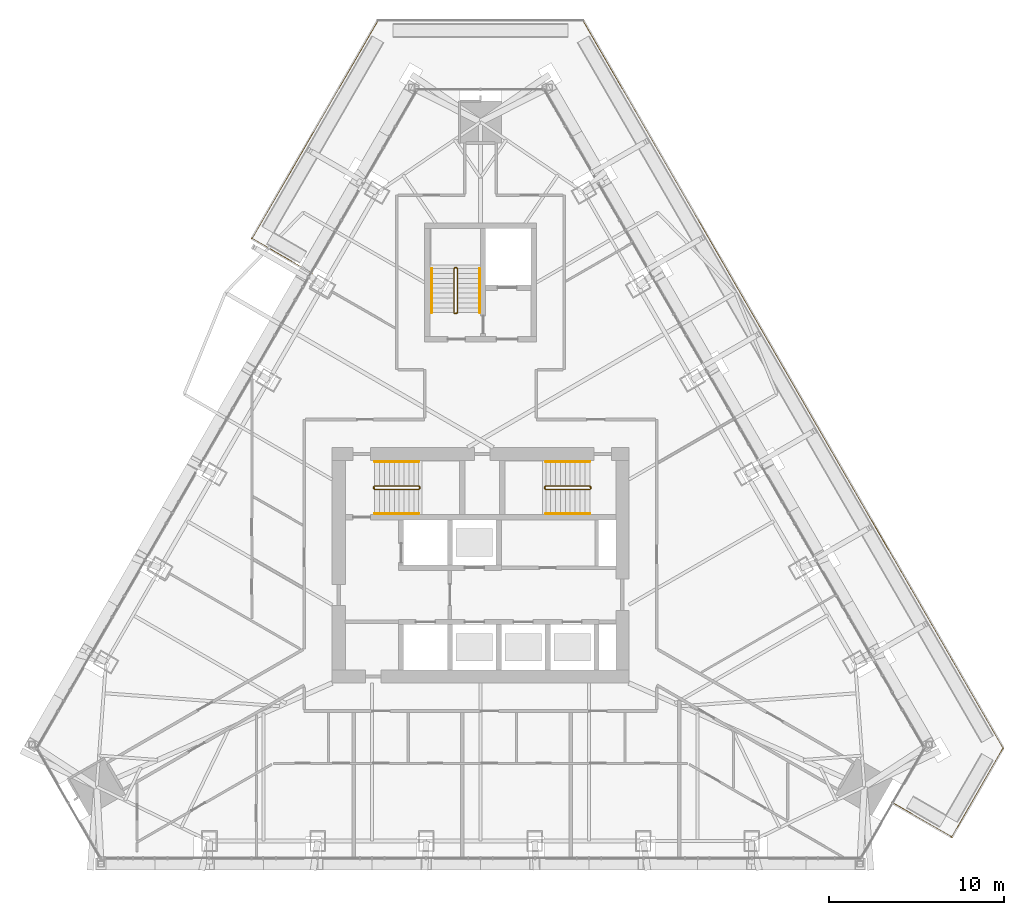
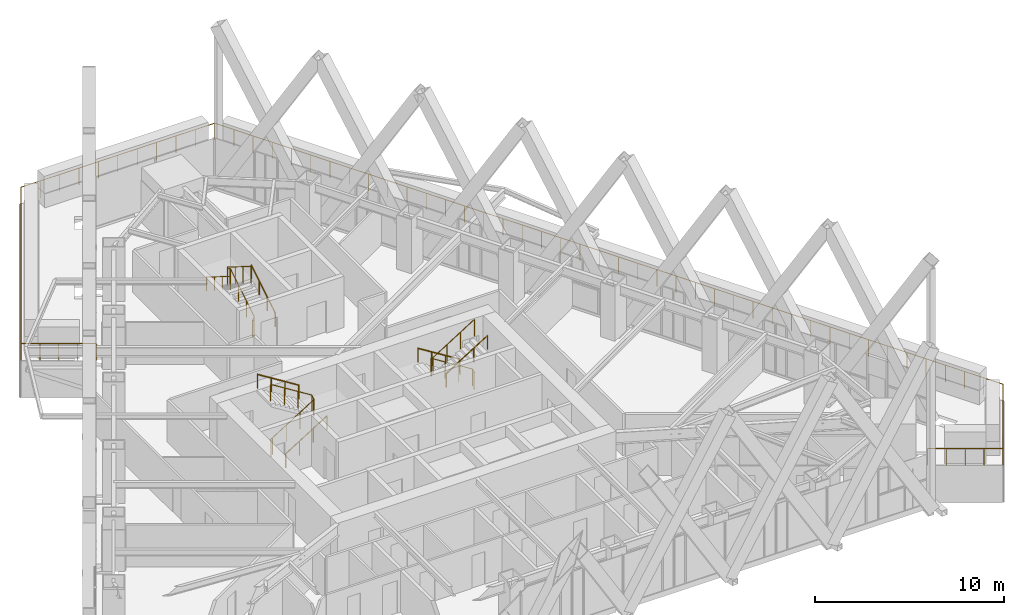
# One storey, part 21 of 23: 10 railings.
"""IFC4 building model written with IfcOpenShell, lengths in metres."""

from ifc_helpers import new_model, si_unit, direction, frame, origin, origin_2d, place, context, subcontext, project, spatial, circle, extrude, material, type_object, element, save


model = new_model("IFC4")

# Units and contexts
model_context = context("Model", 3, precision=1e-05, world=origin(), true_north=direction((0.0, 1.0)))
body_context = subcontext(model_context, "Body", "Model", "MODEL_VIEW")
ifc_project = project(units=[si_unit("LENGTHUNIT", "METRE"), si_unit("AREAUNIT", "SQUARE_METRE"), si_unit("VOLUMEUNIT", "CUBIC_METRE"), si_unit("PLANEANGLEUNIT", "RADIAN"), si_unit("MASSUNIT", "GRAM", prefix="KILO")], contexts=[model_context])

# Site, building, storey
site_placement = place(None, origin())
site = spatial("IfcSite", under=ifc_project, at=site_placement, CompositionType="ELEMENT")
building_placement = place(site_placement, origin())
building = spatial("IfcBuilding", under=site, at=building_placement, Name="Firuza Gate Tower and Library", CompositionType="ELEMENT")
storey_placement = place(building_placement, frame((0.0, 0.0, 291.60009765625)))
storey = spatial("IfcBuildingStorey", under=building, at=storey_placement, Name="L70", CompositionType="ELEMENT", Elevation=291.60009765625)

# Railings
ifc_material_1 = material(Name="Steel S355", Category="steel")
railing_type_1 = type_object("IfcRailingType", Name="Stair guard 1100", PredefinedType="GUARDRAIL", material=ifc_material_1)
railing_1_placement = place(storey_placement, frame((68.889892578125, 79.389892578125, 0.0)))
element("IfcRailing", 1, at=railing_1_placement, inside=storey, type_object=railing_type_1, Name="L70 ST1 stair guard 1", PredefinedType="GUARDRAIL", context=body_context, shape_type="SweptSolid", body=[
    extrude(circle(Radius=0.02392578125, at=origin_2d()), frame((0.0, 0.0, 1.076171875), z_axis=(0.0, 1.0, 0.0), x_axis=(-1.0, 0.0, 0.0)), (0.0, 0.0, 1.0), 0.10009765625),
    extrude(circle(Radius=0.02392578125, at=origin_2d()), frame((0.0, 0.10009765625, 1.076171875), z_axis=(0.212383695785, -0.636115069328, 0.741788908207), x_axis=(0.948528701346, 0.316691178788, 0.0)), (0.0, 0.0, 1.0), 0.235595703125),
    extrude(circle(Radius=0.02392578125, at=origin_2d()), frame((0.050048828125, -0.0498046875, 1.2509765625), z_axis=(0.847970611238, 0.0, 0.530043245855), x_axis=(0.0, 1.0, 0.0)), (0.0, 0.0, 1.0), 2.971923828125),
    extrude(circle(Radius=0.02392578125, at=origin_2d()), frame((2.570068359375, -0.0498046875, 2.826171875), z_axis=(0.708833529934, 0.705375805398, 0.0), x_axis=(-0.705375805398, 0.708833529934, 0.0)), (0.0, 0.0, 1.0), 0.070556640625),
    extrude(circle(Radius=0.02392578125, at=origin_2d()), frame((2.6201171875, 0.0, 2.826171875), z_axis=(0.0, 1.0, 0.0), x_axis=(-1.0, 0.0, 0.0)), (0.0, 0.0, 1.0), 0.10009765625),
    extrude(circle(Radius=0.02392578125, at=origin_2d()), frame((2.6201171875, 0.10009765625, 2.826171875), z_axis=(-0.265383341853, 0.265383341853, 0.926899867156), x_axis=(-0.707106781187, -0.707106781187, 0.0)), (0.0, 0.0, 1.0), 0.1884765625),
    extrude(circle(Radius=0.02392578125, at=origin_2d()), frame((2.570068359375, 0.150146484375, 3.0009765625), z_axis=(-0.847970611238, 0.0, 0.530043245855), x_axis=(0.0, -1.0, 0.0)), (0.0, 0.0, 1.0), 2.971923828125),
    extrude(circle(Radius=0.02099609375, at=origin_2d()), origin(), (0.0, 0.0, 1.0), 1.052001953125),
    extrude(circle(Radius=0.02099609375, at=origin_2d()), frame((0.0, 0.10009765625, 0.0)), (0.0, 0.0, 1.0), 1.052001953125),
    extrude(circle(Radius=0.02099609375, at=origin_2d()), frame((0.050048828125, -0.0498046875, 0.1748046875)), (0.0, 0.0, 1.0), 1.052001953125),
    extrude(circle(Radius=0.02099609375, at=origin_2d()), frame((0.89013671875, -0.0498046875, 0.699951171875)), (0.0, 0.0, 1.0), 1.052001953125),
    extrude(circle(Radius=0.02099609375, at=origin_2d()), frame((1.72998046875, -0.0498046875, 1.224853515625)), (0.0, 0.0, 1.0), 1.052001953125),
    extrude(circle(Radius=0.02099609375, at=origin_2d()), frame((2.570068359375, -0.0498046875, 1.75)), (0.0, 0.0, 1.0), 1.052001953125),
    extrude(circle(Radius=0.02099609375, at=origin_2d()), frame((2.6201171875, 0.0, 1.75)), (0.0, 0.0, 1.0), 1.052001953125),
    extrude(circle(Radius=0.02099609375, at=origin_2d()), frame((2.6201171875, 0.10009765625, 1.75)), (0.0, 0.0, 1.0), 1.052001953125),
    extrude(circle(Radius=0.02099609375, at=origin_2d()), frame((2.570068359375, 0.150146484375, 1.9248046875)), (0.0, 0.0, 1.0), 1.052001953125),
    extrude(circle(Radius=0.02099609375, at=origin_2d()), frame((1.72998046875, 0.150146484375, 2.449951171875)), (0.0, 0.0, 1.0), 1.052001953125),
    extrude(circle(Radius=0.02099609375, at=origin_2d()), frame((0.89013671875, 0.150146484375, 2.974853515625)), (0.0, 0.0, 1.0), 1.052001953125),
    extrude(circle(Radius=0.02099609375, at=origin_2d()), frame((0.050048828125, 0.150146484375, 3.5)), (0.0, 0.0, 1.0), 1.052001953125),
])
railing_2_placement = place(storey_placement, frame((81.31005859375, 79.489990234375, 0.0)))
element("IfcRailing", 2, at=railing_2_placement, inside=storey, type_object=railing_type_1, Name="L70 ST2 stair guard 1", PredefinedType="GUARDRAIL", context=body_context, shape_type="SweptSolid", body=[
    extrude(circle(Radius=0.02392578125, at=origin_2d()), frame((0.0, 0.0, 1.076171875), z_axis=(0.0, -1.0, 0.0), x_axis=(1.0, 0.0, 0.0)), (0.0, 0.0, 1.0), 0.10009765625),
    extrude(circle(Radius=0.02392578125, at=origin_2d()), frame((0.0, -0.10009765625, 1.076171875), z_axis=(-0.21224375372, 0.63673126116, 0.741300134944), x_axis=(-0.948683298051, -0.316227766017, 0.0)), (0.0, 0.0, 1.0), 0.23583984375),
    extrude(circle(Radius=0.02392578125, at=origin_2d()), frame((-0.050048828125, 0.050048828125, 1.2509765625), z_axis=(-0.847970611238, 0.0, 0.530043245855), x_axis=(0.0, -1.0, 0.0)), (0.0, 0.0, 1.0), 2.971923828125),
    extrude(circle(Radius=0.02392578125, at=origin_2d()), frame((-2.570068359375, 0.050048828125, 2.826171875), z_axis=(-0.707106781187, -0.707106781187, 0.0), x_axis=(0.707106781187, -0.707106781187, 0.0)), (0.0, 0.0, 1.0), 0.07080078125),
    extrude(circle(Radius=0.02392578125, at=origin_2d()), frame((-2.6201171875, 0.0, 2.826171875), z_axis=(0.0, -1.0, 0.0), x_axis=(1.0, 0.0, 0.0)), (0.0, 0.0, 1.0), 0.10009765625),
    extrude(circle(Radius=0.02392578125, at=origin_2d()), frame((-2.6201171875, -0.10009765625, 2.826171875), z_axis=(0.265474339444, -0.264179342666, 0.927217692888), x_axis=(0.705375805398, 0.708833529934, 0.0)), (0.0, 0.0, 1.0), 0.1884765625),
    extrude(circle(Radius=0.02392578125, at=origin_2d()), frame((-2.570068359375, -0.14990234375, 3.0009765625), z_axis=(0.847970611238, 0.0, 0.530043245855), x_axis=(0.0, 1.0, 0.0)), (0.0, 0.0, 1.0), 2.971923828125),
    extrude(circle(Radius=0.02099609375, at=origin_2d()), origin(), (0.0, 0.0, 1.0), 1.052001953125),
    extrude(circle(Radius=0.02099609375, at=origin_2d()), frame((0.0, -0.10009765625, 0.0)), (0.0, 0.0, 1.0), 1.052001953125),
    extrude(circle(Radius=0.02099609375, at=origin_2d()), frame((-0.050048828125, 0.050048828125, 0.1748046875)), (0.0, 0.0, 1.0), 1.052001953125),
    extrude(circle(Radius=0.02099609375, at=origin_2d()), frame((-0.89013671875, 0.050048828125, 0.699951171875)), (0.0, 0.0, 1.0), 1.052001953125),
    extrude(circle(Radius=0.02099609375, at=origin_2d()), frame((-1.72998046875, 0.050048828125, 1.224853515625)), (0.0, 0.0, 1.0), 1.052001953125),
    extrude(circle(Radius=0.02099609375, at=origin_2d()), frame((-2.570068359375, 0.050048828125, 1.75)), (0.0, 0.0, 1.0), 1.052001953125),
    extrude(circle(Radius=0.02099609375, at=origin_2d()), frame((-2.6201171875, 0.0, 1.75)), (0.0, 0.0, 1.0), 1.052001953125),
    extrude(circle(Radius=0.02099609375, at=origin_2d()), frame((-2.6201171875, -0.10009765625, 1.75)), (0.0, 0.0, 1.0), 1.052001953125),
    extrude(circle(Radius=0.02099609375, at=origin_2d()), frame((-2.570068359375, -0.14990234375, 1.9248046875)), (0.0, 0.0, 1.0), 1.052001953125),
    extrude(circle(Radius=0.02099609375, at=origin_2d()), frame((-1.72998046875, -0.14990234375, 2.449951171875)), (0.0, 0.0, 1.0), 1.052001953125),
    extrude(circle(Radius=0.02099609375, at=origin_2d()), frame((-0.89013671875, -0.14990234375, 2.974853515625)), (0.0, 0.0, 1.0), 1.052001953125),
    extrude(circle(Radius=0.02099609375, at=origin_2d()), frame((-0.050048828125, -0.14990234375, 3.5)), (0.0, 0.0, 1.0), 1.052001953125),
])
railing_3_placement = place(storey_placement, frame((73.6298828125, 89.419921875, 0.0)))
element("IfcRailing", 3, at=railing_3_placement, inside=storey, type_object=railing_type_1, Name="L70 ST3 stair guard 1", PredefinedType="GUARDRAIL", context=body_context, shape_type="SweptSolid", body=[
    extrude(circle(Radius=0.02392578125, at=origin_2d()), frame((0.0, 0.0, 1.076171875), z_axis=(-1.0, 0.0, 0.0), x_axis=(0.0, -1.0, 0.0)), (0.0, 0.0, 1.0), 0.099853515625),
    extrude(circle(Radius=0.02392578125, at=origin_2d()), frame((-0.099853515625, 0.0, 1.076171875), z_axis=(0.636115069328, 0.212383695785, 0.741788908207), x_axis=(-0.316691178788, 0.948528701346, 0.0)), (0.0, 0.0, 1.0), 0.235595703125),
    extrude(circle(Radius=0.02392578125, at=origin_2d()), frame((0.050048828125, 0.050048828125, 1.2509765625), z_axis=(0.0, 0.847970611238, 0.530043245855), x_axis=(-1.0, 0.0, 0.0)), (0.0, 0.0, 1.0), 2.971923828125),
    extrude(circle(Radius=0.02392578125, at=origin_2d()), frame((0.050048828125, 2.570068359375, 2.826171875), z_axis=(-0.707106781187, 0.707106781187, 0.0), x_axis=(-0.707106781187, -0.707106781187, 0.0)), (0.0, 0.0, 1.0), 0.07080078125),
    extrude(circle(Radius=0.02392578125, at=origin_2d()), frame((0.0, 2.6201171875, 2.826171875), z_axis=(-1.0, 0.0, 0.0), x_axis=(0.0, -1.0, 0.0)), (0.0, 0.0, 1.0), 0.099853515625),
    extrude(circle(Radius=0.02392578125, at=origin_2d()), frame((-0.099853515625, 2.6201171875, 2.826171875), z_axis=(-0.265383341853, -0.265383341853, 0.926899867156), x_axis=(0.707106781187, -0.707106781187, 0.0)), (0.0, 0.0, 1.0), 0.1884765625),
    extrude(circle(Radius=0.02392578125, at=origin_2d()), frame((-0.14990234375, 2.570068359375, 3.0009765625), z_axis=(0.0, -0.847970611238, 0.530043245855), x_axis=(1.0, 0.0, 0.0)), (0.0, 0.0, 1.0), 2.971923828125),
    extrude(circle(Radius=0.02099609375, at=origin_2d()), origin(), (0.0, 0.0, 1.0), 1.052001953125),
    extrude(circle(Radius=0.02099609375, at=origin_2d()), frame((-0.099853515625, 0.0, 0.0)), (0.0, 0.0, 1.0), 1.052001953125),
    extrude(circle(Radius=0.02099609375, at=origin_2d()), frame((0.050048828125, 0.050048828125, 0.1748046875)), (0.0, 0.0, 1.0), 1.052001953125),
    extrude(circle(Radius=0.02099609375, at=origin_2d()), frame((0.050048828125, 0.89013671875, 0.699951171875)), (0.0, 0.0, 1.0), 1.052001953125),
    extrude(circle(Radius=0.02099609375, at=origin_2d()), frame((0.050048828125, 1.72998046875, 1.224853515625)), (0.0, 0.0, 1.0), 1.052001953125),
    extrude(circle(Radius=0.02099609375, at=origin_2d()), frame((0.050048828125, 2.570068359375, 1.75)), (0.0, 0.0, 1.0), 1.052001953125),
    extrude(circle(Radius=0.02099609375, at=origin_2d()), frame((0.0, 2.6201171875, 1.75)), (0.0, 0.0, 1.0), 1.052001953125),
    extrude(circle(Radius=0.02099609375, at=origin_2d()), frame((-0.099853515625, 2.6201171875, 1.75)), (0.0, 0.0, 1.0), 1.052001953125),
    extrude(circle(Radius=0.02099609375, at=origin_2d()), frame((-0.14990234375, 2.570068359375, 1.9248046875)), (0.0, 0.0, 1.0), 1.052001953125),
    extrude(circle(Radius=0.02099609375, at=origin_2d()), frame((-0.14990234375, 1.72998046875, 2.449951171875)), (0.0, 0.0, 1.0), 1.052001953125),
    extrude(circle(Radius=0.02099609375, at=origin_2d()), frame((-0.14990234375, 0.89013671875, 2.974853515625)), (0.0, 0.0, 1.0), 1.052001953125),
    extrude(circle(Radius=0.02099609375, at=origin_2d()), frame((-0.14990234375, 0.050048828125, 3.5)), (0.0, 0.0, 1.0), 1.052001953125),
])
ifc_material_2 = material(Name="Steel S355", Category="steel")
railing_type_2 = type_object("IfcRailingType", Name="Stair handrail 900", PredefinedType="HANDRAIL", material=ifc_material_2)
railing_4_placement = place(storey_placement, frame((68.93994140625, 77.949951171875, 0.1748046875)))
element("IfcRailing", 4, at=railing_4_placement, inside=storey, type_object=railing_type_2, Name="L70 ST1 stair handrail 1", PredefinedType="HANDRAIL", context=body_context, shape_type="SweptSolid", body=[
    extrude(circle(Radius=0.02392578125, at=origin_2d()), frame((0.0, 0.0, 0.8759765625), z_axis=(0.847970611238, 0.0, 0.530043245855), x_axis=(0.0, 1.0, 0.0)), (0.0, 0.0, 1.0), 2.971923828125),
    extrude(circle(Radius=0.02099609375, at=origin_2d()), origin(), (0.0, 0.0, 1.0), 0.851806640625),
    extrude(circle(Radius=0.02099609375, at=origin_2d()), frame((0.840087890625, 0.0, 0.525146484375)), (0.0, 0.0, 1.0), 0.851806640625),
    extrude(circle(Radius=0.02099609375, at=origin_2d()), frame((1.679931640625, 0.0, 1.050048828125)), (0.0, 0.0, 1.0), 0.851806640625),
    extrude(circle(Radius=0.02099609375, at=origin_2d()), frame((2.52001953125, 0.0, 1.5751953125)), (0.0, 0.0, 1.0), 0.851806640625),
])
for number, where, name in (
    (5, (71.4599609375, 80.929931640625, 1.9248046875), "L70 ST1 stair handrail 2"),
    (6, (81.260009765625, 80.929931640625, 0.1748046875), "L70 ST2 stair handrail 1"),
):
    element("IfcRailing", number, at=place(storey_placement, frame(where)), inside=storey, type_object=railing_type_2, Name=name, PredefinedType="HANDRAIL", context=body_context, shape_type="SweptSolid", body=[
        extrude(circle(Radius=0.02392578125, at=origin_2d()), frame((0.0, 0.0, 0.8759765625), z_axis=(-0.847970611238, 0.0, 0.530043245855), x_axis=(0.0, -1.0, 0.0)), (0.0, 0.0, 1.0), 2.971923828125),
        extrude(circle(Radius=0.02099609375, at=origin_2d()), origin(), (0.0, 0.0, 1.0), 0.851806640625),
        extrude(circle(Radius=0.02099609375, at=origin_2d()), frame((-0.840087890625, 0.0, 0.525146484375)), (0.0, 0.0, 1.0), 0.851806640625),
        extrude(circle(Radius=0.02099609375, at=origin_2d()), frame((-1.679931640625, 0.0, 1.050048828125)), (0.0, 0.0, 1.0), 0.851806640625),
        extrude(circle(Radius=0.02099609375, at=origin_2d()), frame((-2.52001953125, 0.0, 1.5751953125)), (0.0, 0.0, 1.0), 0.851806640625),
    ])
railing_5_placement = place(storey_placement, frame((78.739990234375, 77.949951171875, 1.9248046875)))
element("IfcRailing", 7, at=railing_5_placement, inside=storey, type_object=railing_type_2, Name="L70 ST2 stair handrail 2", PredefinedType="HANDRAIL", context=body_context, shape_type="SweptSolid", body=[
    extrude(circle(Radius=0.02392578125, at=origin_2d()), frame((0.0, 0.0, 0.8759765625), z_axis=(0.847970611238, 0.0, 0.530043245855), x_axis=(0.0, 1.0, 0.0)), (0.0, 0.0, 1.0), 2.971923828125),
    extrude(circle(Radius=0.02099609375, at=origin_2d()), origin(), (0.0, 0.0, 1.0), 0.851806640625),
    extrude(circle(Radius=0.02099609375, at=origin_2d()), frame((0.840087890625, 0.0, 0.525146484375)), (0.0, 0.0, 1.0), 0.851806640625),
    extrude(circle(Radius=0.02099609375, at=origin_2d()), frame((1.679931640625, 0.0, 1.050048828125)), (0.0, 0.0, 1.0), 0.851806640625),
    extrude(circle(Radius=0.02099609375, at=origin_2d()), frame((2.52001953125, 0.0, 1.5751953125)), (0.0, 0.0, 1.0), 0.851806640625),
])
railing_6_placement = place(storey_placement, frame((74.949951171875, 89.469970703125, 0.1748046875)))
element("IfcRailing", 8, at=railing_6_placement, inside=storey, type_object=railing_type_2, Name="L70 ST3 stair handrail 1", PredefinedType="HANDRAIL", context=body_context, shape_type="SweptSolid", body=[
    extrude(circle(Radius=0.02392578125, at=origin_2d()), frame((0.0, 0.0, 0.8759765625), z_axis=(0.0, 0.847970611238, 0.530043245855), x_axis=(-1.0, 0.0, 0.0)), (0.0, 0.0, 1.0), 2.971923828125),
    extrude(circle(Radius=0.02099609375, at=origin_2d()), origin(), (0.0, 0.0, 1.0), 0.851806640625),
    extrude(circle(Radius=0.02099609375, at=origin_2d()), frame((0.0, 0.840087890625, 0.525146484375)), (0.0, 0.0, 1.0), 0.851806640625),
    extrude(circle(Radius=0.02099609375, at=origin_2d()), frame((0.0, 1.679931640625, 1.050048828125)), (0.0, 0.0, 1.0), 0.851806640625),
    extrude(circle(Radius=0.02099609375, at=origin_2d()), frame((0.0, 2.52001953125, 1.5751953125)), (0.0, 0.0, 1.0), 0.851806640625),
])
railing_7_placement = place(storey_placement, frame((72.2099609375, 91.989990234375, 1.9248046875)))
element("IfcRailing", 9, at=railing_7_placement, inside=storey, type_object=railing_type_2, Name="L70 ST3 stair handrail 2", PredefinedType="HANDRAIL", context=body_context, shape_type="SweptSolid", body=[
    extrude(circle(Radius=0.02392578125, at=origin_2d()), frame((0.0, 0.0, 0.8759765625), z_axis=(0.0, -0.847970611238, 0.530043245855), x_axis=(1.0, 0.0, 0.0)), (0.0, 0.0, 1.0), 2.971923828125),
    extrude(circle(Radius=0.02099609375, at=origin_2d()), origin(), (0.0, 0.0, 1.0), 0.851806640625),
    extrude(circle(Radius=0.02099609375, at=origin_2d()), frame((0.0, -0.840087890625, 0.525146484375)), (0.0, 0.0, 1.0), 0.851806640625),
    extrude(circle(Radius=0.02099609375, at=origin_2d()), frame((0.0, -1.679931640625, 1.050048828125)), (0.0, 0.0, 1.0), 0.851806640625),
    extrude(circle(Radius=0.02099609375, at=origin_2d()), frame((0.0, -2.52001953125, 1.5751953125)), (0.0, 0.0, 1.0), 0.851806640625),
])
ifc_material_3 = material(Name="Steel S355", Category="steel")
railing_type_3 = type_object("IfcRailingType", Name="Terrace guard 1100", PredefinedType="GUARDRAIL", material=ifc_material_3)
railing_8_placement = place(storey_placement, frame((98.546630859375, 61.4052734375, 0.0)))
element("IfcRailing", 10, at=railing_8_placement, inside=storey, type_object=railing_type_3, Name="Tray guard L70", PredefinedType="GUARDRAIL", context=body_context, shape_type="SweptSolid", body=[
    extrude(circle(Radius=0.02392578125, at=origin_2d()), frame((0.0, 0.0, 1.076171875), z_axis=(0.866026010844, -0.49999894854, 0.0), x_axis=(0.49999894854, 0.866026010844, 0.0)), (0.0, 0.0, 1.0), 4.0),
    extrude(circle(Radius=0.02392578125, at=origin_2d()), frame((3.464111328125, -2.0, 1.076171875), z_axis=(0.500018084612, 0.866014962377, 0.0), x_axis=(-0.866014962377, 0.500018084612, 0.0)), (0.0, 0.0, 1.0), 5.909423828125),
    extrude(circle(Radius=0.02392578125, at=origin_2d()), frame((6.4189453125, 3.11767578125, 1.076171875), z_axis=(-0.499999767689, 0.866025537909, 0.0), x_axis=(-0.866025537909, -0.499999767689, 0.0)), (0.0, 0.0, 1.0), 48.1123046875),
    extrude(circle(Radius=0.02392578125, at=origin_2d()), frame((-17.63720703125, 44.7841796875, 1.076171875), z_axis=(-1.0, 0.0, 0.0), x_axis=(0.0, -1.0, 0.0)), (0.0, 0.0, 1.0), 11.81884765625),
    extrude(circle(Radius=0.02392578125, at=origin_2d()), frame((-29.4560546875, 44.7841796875, 1.076171875), z_axis=(-0.499999201131, -0.866025865011, 0.0), x_axis=(0.866025865011, -0.499999201131, 0.0)), (0.0, 0.0, 1.0), 14.4072265625),
    extrude(circle(Radius=0.02392578125, at=origin_2d()), frame((-36.65966796875, 32.30712890625, 1.076171875), z_axis=(0.866026010844, -0.49999894854, 0.0), x_axis=(0.49999894854, 0.866026010844, 0.0)), (0.0, 0.0, 1.0), 4.0),
    extrude(circle(Radius=0.02099609375, at=origin_2d()), origin(), (0.0, 0.0, 1.0), 1.052001953125),
    extrude(circle(Radius=0.02099609375, at=origin_2d()), frame((0.865966796875, -0.5, 0.0)), (0.0, 0.0, 1.0), 1.052001953125),
    extrude(circle(Radius=0.02099609375, at=origin_2d()), frame((1.73193359375, -1.0, 0.0)), (0.0, 0.0, 1.0), 1.052001953125),
    extrude(circle(Radius=0.02099609375, at=origin_2d()), frame((2.59814453125, -1.5, 0.0)), (0.0, 0.0, 1.0), 1.052001953125),
    extrude(circle(Radius=0.02099609375, at=origin_2d()), frame((3.464111328125, -2.0, 0.0)), (0.0, 0.0, 1.0), 1.052001953125),
    extrude(circle(Radius=0.02099609375, at=origin_2d()), frame((4.05517578125, -0.9765625, 0.0)), (0.0, 0.0, 1.0), 1.052001953125),
    extrude(circle(Radius=0.02099609375, at=origin_2d()), frame((4.64599609375, 0.047119140625, 0.0)), (0.0, 0.0, 1.0), 1.052001953125),
    extrude(circle(Radius=0.02099609375, at=origin_2d()), frame((5.237060546875, 1.070556640625, 0.0)), (0.0, 0.0, 1.0), 1.052001953125),
    extrude(circle(Radius=0.02099609375, at=origin_2d()), frame((5.827880859375, 2.09423828125, 0.0)), (0.0, 0.0, 1.0), 1.052001953125),
    extrude(circle(Radius=0.02099609375, at=origin_2d()), frame((6.4189453125, 3.11767578125, 0.0)), (0.0, 0.0, 1.0), 1.052001953125),
    extrude(circle(Radius=0.02099609375, at=origin_2d()), frame((5.832275390625, 4.134033203125, 0.0)), (0.0, 0.0, 1.0), 1.052001953125),
    extrude(circle(Radius=0.02099609375, at=origin_2d()), frame((5.245361328125, 5.150146484375, 0.0)), (0.0, 0.0, 1.0), 1.052001953125),
    extrude(circle(Radius=0.02099609375, at=origin_2d()), frame((4.65869140625, 6.16650390625, 0.0)), (0.0, 0.0, 1.0), 1.052001953125),
    extrude(circle(Radius=0.02099609375, at=origin_2d()), frame((4.072021484375, 7.1826171875, 0.0)), (0.0, 0.0, 1.0), 1.052001953125),
    extrude(circle(Radius=0.02099609375, at=origin_2d()), frame((3.4853515625, 8.198974609375, 0.0)), (0.0, 0.0, 1.0), 1.052001953125),
    extrude(circle(Radius=0.02099609375, at=origin_2d()), frame((2.8984375, 9.21533203125, 0.0)), (0.0, 0.0, 1.0), 1.052001953125),
    extrude(circle(Radius=0.02099609375, at=origin_2d()), frame((2.311767578125, 10.2314453125, 0.0)), (0.0, 0.0, 1.0), 1.052001953125),
    extrude(circle(Radius=0.02099609375, at=origin_2d()), frame((1.72509765625, 11.247802734375, 0.0)), (0.0, 0.0, 1.0), 1.052001953125),
    extrude(circle(Radius=0.02099609375, at=origin_2d()), frame((1.138427734375, 12.263916015625, 0.0)), (0.0, 0.0, 1.0), 1.052001953125),
    extrude(circle(Radius=0.02099609375, at=origin_2d()), frame((0.551513671875, 13.2802734375, 0.0)), (0.0, 0.0, 1.0), 1.052001953125),
    extrude(circle(Radius=0.02099609375, at=origin_2d()), frame((-0.03515625, 14.29638671875, 0.0)), (0.0, 0.0, 1.0), 1.052001953125),
    extrude(circle(Radius=0.02099609375, at=origin_2d()), frame((-0.621826171875, 15.312744140625, 0.0)), (0.0, 0.0, 1.0), 1.052001953125),
    extrude(circle(Radius=0.02099609375, at=origin_2d()), frame((-1.20849609375, 16.3291015625, 0.0)), (0.0, 0.0, 1.0), 1.052001953125),
    extrude(circle(Radius=0.02099609375, at=origin_2d()), frame((-1.79541015625, 17.34521484375, 0.0)), (0.0, 0.0, 1.0), 1.052001953125),
    extrude(circle(Radius=0.02099609375, at=origin_2d()), frame((-2.382080078125, 18.361572265625, 0.0)), (0.0, 0.0, 1.0), 1.052001953125),
    extrude(circle(Radius=0.02099609375, at=origin_2d()), frame((-2.96875, 19.377685546875, 0.0)), (0.0, 0.0, 1.0), 1.052001953125),
    extrude(circle(Radius=0.02099609375, at=origin_2d()), frame((-3.5556640625, 20.39404296875, 0.0)), (0.0, 0.0, 1.0), 1.052001953125),
    extrude(circle(Radius=0.02099609375, at=origin_2d()), frame((-4.142333984375, 21.410400390625, 0.0)), (0.0, 0.0, 1.0), 1.052001953125),
    extrude(circle(Radius=0.02099609375, at=origin_2d()), frame((-4.72900390625, 22.426513671875, 0.0)), (0.0, 0.0, 1.0), 1.052001953125),
    extrude(circle(Radius=0.02099609375, at=origin_2d()), frame((-5.315673828125, 23.44287109375, 0.0)), (0.0, 0.0, 1.0), 1.052001953125),
    extrude(circle(Radius=0.02099609375, at=origin_2d()), frame((-5.902587890625, 24.458984375, 0.0)), (0.0, 0.0, 1.0), 1.052001953125),
    extrude(circle(Radius=0.02099609375, at=origin_2d()), frame((-6.4892578125, 25.475341796875, 0.0)), (0.0, 0.0, 1.0), 1.052001953125),
    extrude(circle(Radius=0.02099609375, at=origin_2d()), frame((-7.075927734375, 26.491455078125, 0.0)), (0.0, 0.0, 1.0), 1.052001953125),
    extrude(circle(Radius=0.02099609375, at=origin_2d()), frame((-7.66259765625, 27.5078125, 0.0)), (0.0, 0.0, 1.0), 1.052001953125),
    extrude(circle(Radius=0.02099609375, at=origin_2d()), frame((-8.24951171875, 28.524169921875, 0.0)), (0.0, 0.0, 1.0), 1.052001953125),
    extrude(circle(Radius=0.02099609375, at=origin_2d()), frame((-8.836181640625, 29.540283203125, 0.0)), (0.0, 0.0, 1.0), 1.052001953125),
    extrude(circle(Radius=0.02099609375, at=origin_2d()), frame((-9.4228515625, 30.556640625, 0.0)), (0.0, 0.0, 1.0), 1.052001953125),
    extrude(circle(Radius=0.02099609375, at=origin_2d()), frame((-10.009765625, 31.57275390625, 0.0)), (0.0, 0.0, 1.0), 1.052001953125),
    extrude(circle(Radius=0.02099609375, at=origin_2d()), frame((-10.596435546875, 32.589111328125, 0.0)), (0.0, 0.0, 1.0), 1.052001953125),
    extrude(circle(Radius=0.02099609375, at=origin_2d()), frame((-11.18310546875, 33.60546875, 0.0)), (0.0, 0.0, 1.0), 1.052001953125),
    extrude(circle(Radius=0.02099609375, at=origin_2d()), frame((-11.769775390625, 34.62158203125, 0.0)), (0.0, 0.0, 1.0), 1.052001953125),
    extrude(circle(Radius=0.02099609375, at=origin_2d()), frame((-12.356689453125, 35.637939453125, 0.0)), (0.0, 0.0, 1.0), 1.052001953125),
    extrude(circle(Radius=0.02099609375, at=origin_2d()), frame((-12.943359375, 36.654052734375, 0.0)), (0.0, 0.0, 1.0), 1.052001953125),
    extrude(circle(Radius=0.02099609375, at=origin_2d()), frame((-13.530029296875, 37.67041015625, 0.0)), (0.0, 0.0, 1.0), 1.052001953125),
    extrude(circle(Radius=0.02099609375, at=origin_2d()), frame((-14.11669921875, 38.6865234375, 0.0)), (0.0, 0.0, 1.0), 1.052001953125),
    extrude(circle(Radius=0.02099609375, at=origin_2d()), frame((-14.70361328125, 39.702880859375, 0.0)), (0.0, 0.0, 1.0), 1.052001953125),
    extrude(circle(Radius=0.02099609375, at=origin_2d()), frame((-15.290283203125, 40.71923828125, 0.0)), (0.0, 0.0, 1.0), 1.052001953125),
    extrude(circle(Radius=0.02099609375, at=origin_2d()), frame((-15.876953125, 41.7353515625, 0.0)), (0.0, 0.0, 1.0), 1.052001953125),
    extrude(circle(Radius=0.02099609375, at=origin_2d()), frame((-16.463623046875, 42.751708984375, 0.0)), (0.0, 0.0, 1.0), 1.052001953125),
    extrude(circle(Radius=0.02099609375, at=origin_2d()), frame((-17.050537109375, 43.767822265625, 0.0)), (0.0, 0.0, 1.0), 1.052001953125),
    extrude(circle(Radius=0.02099609375, at=origin_2d()), frame((-17.63720703125, 44.7841796875, 0.0)), (0.0, 0.0, 1.0), 1.052001953125),
    extrude(circle(Radius=0.02099609375, at=origin_2d()), frame((-18.819091796875, 44.7841796875, 0.0)), (0.0, 0.0, 1.0), 1.052001953125),
    extrude(circle(Radius=0.02099609375, at=origin_2d()), frame((-20.0009765625, 44.7841796875, 0.0)), (0.0, 0.0, 1.0), 1.052001953125),
    extrude(circle(Radius=0.02099609375, at=origin_2d()), frame((-21.182861328125, 44.7841796875, 0.0)), (0.0, 0.0, 1.0), 1.052001953125),
    extrude(circle(Radius=0.02099609375, at=origin_2d()), frame((-22.36474609375, 44.7841796875, 0.0)), (0.0, 0.0, 1.0), 1.052001953125),
    extrude(circle(Radius=0.02099609375, at=origin_2d()), frame((-23.546630859375, 44.7841796875, 0.0)), (0.0, 0.0, 1.0), 1.052001953125),
    extrude(circle(Radius=0.02099609375, at=origin_2d()), frame((-24.728515625, 44.7841796875, 0.0)), (0.0, 0.0, 1.0), 1.052001953125),
    extrude(circle(Radius=0.02099609375, at=origin_2d()), frame((-25.910400390625, 44.7841796875, 0.0)), (0.0, 0.0, 1.0), 1.052001953125),
    extrude(circle(Radius=0.02099609375, at=origin_2d()), frame((-27.09228515625, 44.7841796875, 0.0)), (0.0, 0.0, 1.0), 1.052001953125),
    extrude(circle(Radius=0.02099609375, at=origin_2d()), frame((-28.274169921875, 44.7841796875, 0.0)), (0.0, 0.0, 1.0), 1.052001953125),
    extrude(circle(Radius=0.02099609375, at=origin_2d()), frame((-29.4560546875, 44.7841796875, 0.0)), (0.0, 0.0, 1.0), 1.052001953125),
    extrude(circle(Radius=0.02099609375, at=origin_2d()), frame((-30.01025390625, 43.824462890625, 0.0)), (0.0, 0.0, 1.0), 1.052001953125),
    extrude(circle(Radius=0.02099609375, at=origin_2d()), frame((-30.564208984375, 42.86474609375, 0.0)), (0.0, 0.0, 1.0), 1.052001953125),
    extrude(circle(Radius=0.02099609375, at=origin_2d()), frame((-31.118408203125, 41.90478515625, 0.0)), (0.0, 0.0, 1.0), 1.052001953125),
    extrude(circle(Radius=0.02099609375, at=origin_2d()), frame((-31.672607421875, 40.945068359375, 0.0)), (0.0, 0.0, 1.0), 1.052001953125),
    extrude(circle(Radius=0.02099609375, at=origin_2d()), frame((-32.2265625, 39.9853515625, 0.0)), (0.0, 0.0, 1.0), 1.052001953125),
    extrude(circle(Radius=0.02099609375, at=origin_2d()), frame((-32.78076171875, 39.025634765625, 0.0)), (0.0, 0.0, 1.0), 1.052001953125),
    extrude(circle(Radius=0.02099609375, at=origin_2d()), frame((-33.3349609375, 38.065673828125, 0.0)), (0.0, 0.0, 1.0), 1.052001953125),
    extrude(circle(Radius=0.02099609375, at=origin_2d()), frame((-33.88916015625, 37.10595703125, 0.0)), (0.0, 0.0, 1.0), 1.052001953125),
    extrude(circle(Radius=0.02099609375, at=origin_2d()), frame((-34.443115234375, 36.146240234375, 0.0)), (0.0, 0.0, 1.0), 1.052001953125),
    extrude(circle(Radius=0.02099609375, at=origin_2d()), frame((-34.997314453125, 35.1865234375, 0.0)), (0.0, 0.0, 1.0), 1.052001953125),
    extrude(circle(Radius=0.02099609375, at=origin_2d()), frame((-35.551513671875, 34.2265625, 0.0)), (0.0, 0.0, 1.0), 1.052001953125),
    extrude(circle(Radius=0.02099609375, at=origin_2d()), frame((-36.10546875, 33.266845703125, 0.0)), (0.0, 0.0, 1.0), 1.052001953125),
    extrude(circle(Radius=0.02099609375, at=origin_2d()), frame((-36.65966796875, 32.30712890625, 0.0)), (0.0, 0.0, 1.0), 1.052001953125),
    extrude(circle(Radius=0.02099609375, at=origin_2d()), frame((-35.793701171875, 31.80712890625, 0.0)), (0.0, 0.0, 1.0), 1.052001953125),
    extrude(circle(Radius=0.02099609375, at=origin_2d()), frame((-34.927734375, 31.30712890625, 0.0)), (0.0, 0.0, 1.0), 1.052001953125),
    extrude(circle(Radius=0.02099609375, at=origin_2d()), frame((-34.0615234375, 30.80712890625, 0.0)), (0.0, 0.0, 1.0), 1.052001953125),
    extrude(circle(Radius=0.02099609375, at=origin_2d()), frame((-33.195556640625, 30.30712890625, 0.0)), (0.0, 0.0, 1.0), 1.052001953125),
])

save(model, "model.ifc")
